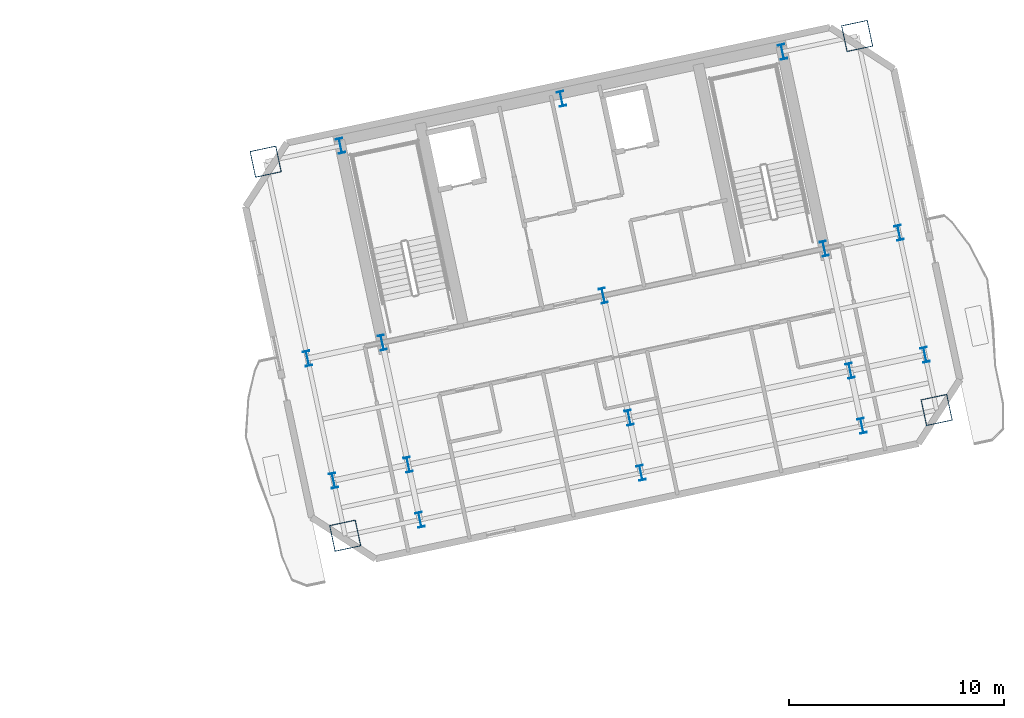
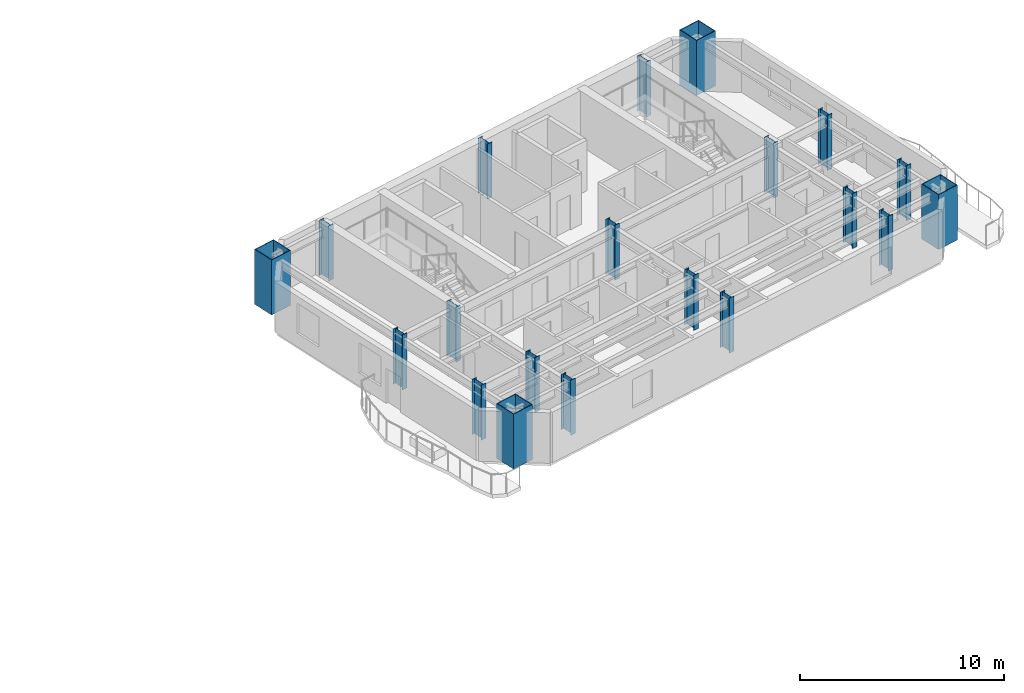
# One storey, part 2 of 13: 20 columns.
"""IFC4 building model written with IfcOpenShell, lengths in metres."""

from ifc_helpers import new_model, si_unit, direction, frame, origin, origin_2d, place, context, subcontext, project, spatial, hollow_rectangle, i_section, extrude, material, material_profile, profile_set, type_object, element, save


model = new_model("IFC4")

# Units and contexts
model_context = context("Model", 3, precision=1e-05, world=origin(), true_north=direction((0.0, 1.0)))
body_context = subcontext(model_context, "Body", "Model", "MODEL_VIEW")
ifc_project = project(units=[si_unit("LENGTHUNIT", "METRE"), si_unit("AREAUNIT", "SQUARE_METRE"), si_unit("VOLUMEUNIT", "CUBIC_METRE"), si_unit("PLANEANGLEUNIT", "RADIAN"), si_unit("MASSUNIT", "GRAM", prefix="KILO")], contexts=[model_context])

# Site, building, storey
site_placement = place(None, origin())
site = spatial("IfcSite", under=ifc_project, at=site_placement, CompositionType="ELEMENT")
building_placement = place(site_placement, origin())
building = spatial("IfcBuilding", under=site, at=building_placement, Name="Haevon Station Towers", CompositionType="ELEMENT")
storey_placement = place(building_placement, frame((0.0, 0.0, 182.39990234375)))
storey = spatial("IfcBuildingStorey", under=building, at=storey_placement, Name="L50", CompositionType="ELEMENT", Elevation=182.39990234375)

# Columns
ifc_material_1 = material(Name="Steel S460", Category="steel")
ifc_material_profile_1 = material_profile(ifc_material_1, hollow_rectangle(XDim=1.25, YDim=1.25, WallThickness=0.034912109375, at=origin_2d()), Name="BOX-1250x1250x35")
ifc_profile_set_1 = profile_set([ifc_material_profile_1], Name="Steel S460")
column_type_1 = type_object("IfcColumnType", Name="COL-MC4", PredefinedType="COLUMN", material=ifc_profile_set_1)
for number, where, z_axis, x_axis, name in (
    (1, (97.030517578125, 28.46826171875, 0.0), (0.0, 0.0, 1.0), (0.978147600734, 0.207911690818, 0.0), "COL-T2-L50-01-01"),
    (2, (93.3359375, 45.85009765625, 0.0), (0.0, 0.0, 1.0), (0.978147600734, 0.207911690818, 0.0), "COL-T2-L50-01-04"),
    (3, (124.5166015625, 34.310546875, 0.0), (0.0, 0.0, 1.0), (0.978147600734, 0.207911690818, 0.0), "COL-T2-L50-05-01"),
    (4, (120.822021484375, 51.6923828125, 0.0), (0.0, 0.0, 1.0), (0.978147600734, 0.207911690818, 0.0), "COL-T2-L50-05-04"),
):
    element("IfcColumn", number, at=place(storey_placement, frame(where, z_axis=z_axis, x_axis=x_axis)), inside=storey, type_object=column_type_1, Name=name, PredefinedType="COLUMN", context=body_context, shape_type="SweptSolid", body=[
        extrude(hollow_rectangle(XDim=1.25, YDim=1.25, WallThickness=0.034912109375, at=origin_2d()), origin(), (0.0, 0.0, 1.0), 3.300048828125),
    ])
ifc_material_2 = material(Name="Steel S355", Category="steel")
ifc_material_profile_2 = material_profile(ifc_material_2, i_section(OverallWidth=0.300048828125, OverallDepth=0.699951171875, WebThickness=0.01611328125, FlangeThickness=0.028076171875, at=origin_2d()), Name="H-700x300x16x28")
ifc_profile_set_2 = profile_set([ifc_material_profile_2], Name="Steel S355")
column_type_2 = type_object("IfcColumnType", Name="COL-TW3", PredefinedType="COLUMN", material=ifc_profile_set_2)
for number, where, z_axis, x_axis, name in (
    (5, (96.48583984375, 31.031005859375, 0.0), (0.0, 0.0, 1.0), (0.978147600734, 0.207911690818, 0.0), "COL-T2-L50-01-02"),
    (6, (95.280029296875, 36.704345703125, 0.0), (0.0, 0.0, 1.0), (0.978147600734, 0.207911690818, 0.0), "COL-T2-L50-01-03"),
    (7, (100.5029296875, 29.206298828125, 0.0), (0.0, 0.0, 1.0), (0.978147600734, 0.207911690818, 0.0), "COL-T2-L50-02-01"),
    (8, (99.958251953125, 31.76904296875, 0.0), (0.0, 0.0, 1.0), (0.978147600734, 0.207911690818, 0.0), "COL-T2-L50-02-02"),
    (9, (98.75244140625, 37.4423828125, 0.0), (0.0, 0.0, 1.0), (0.978147600734, 0.207911690818, 0.0), "COL-T2-L50-02-03"),
    (10, (96.808349609375, 46.588134765625, 0.0), (0.0, 0.0, 1.0), (0.978147600734, 0.207911690818, 0.0), "COL-T2-L50-02-04"),
    (11, (110.7734375, 31.389404296875, 0.0), (0.0, 0.0, 1.0), (0.978147600734, 0.207911690818, 0.0), "COL-T2-L50-03-01"),
    (12, (110.228759765625, 33.9521484375, 0.0), (0.0, 0.0, 1.0), (0.978147600734, 0.207911690818, 0.0), "COL-T2-L50-03-02"),
    (13, (109.02294921875, 39.62548828125, 0.0), (0.0, 0.0, 1.0), (0.978147600734, 0.207911690818, 0.0), "COL-T2-L50-03-03"),
    (14, (107.078857421875, 48.771240234375, 0.0), (0.0, 0.0, 1.0), (0.978147600734, 0.207911690818, 0.0), "COL-T2-L50-03-04"),
    (15, (121.0439453125, 33.572509765625, 0.0), (0.0, 0.0, 1.0), (0.978147600734, 0.207911690818, 0.0), "COL-T2-L50-04-01"),
    (16, (120.499267578125, 36.13525390625, 0.0), (0.0, 0.0, 1.0), (0.978147600734, 0.207911690818, 0.0), "COL-T2-L50-04-02"),
    (17, (119.29345703125, 41.80859375, 0.0), (0.0, 0.0, 1.0), (0.978147600734, 0.207911690818, 0.0), "COL-T2-L50-04-03"),
    (18, (117.349365234375, 50.954345703125, 0.0), (0.0, 0.0, 1.0), (0.978147600734, 0.207911690818, 0.0), "COL-T2-L50-04-04"),
    (19, (123.9716796875, 36.873291015625, 0.0), (0.0, 0.0, 1.0), (0.978147600734, 0.207911690818, 0.0), "COL-T2-L50-05-02"),
    (20, (122.765869140625, 42.546630859375, 0.0), (0.0, 0.0, 1.0), (0.978147600734, 0.207911690818, 0.0), "COL-T2-L50-05-03"),
):
    element("IfcColumn", number, at=place(storey_placement, frame(where, z_axis=z_axis, x_axis=x_axis)), inside=storey, type_object=column_type_2, Name=name, PredefinedType="COLUMN", context=body_context, shape_type="SweptSolid", body=[
        extrude(i_section(OverallWidth=0.300048828125, OverallDepth=0.699951171875, WebThickness=0.01611328125, FlangeThickness=0.028076171875, at=origin_2d()), origin(), (0.0, 0.0, 1.0), 3.300048828125),
    ])

save(model, "model.ifc")
